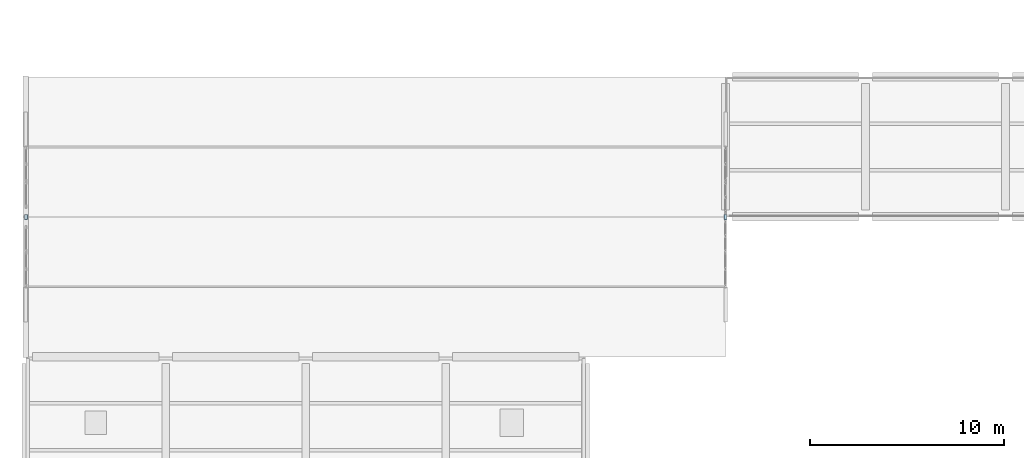
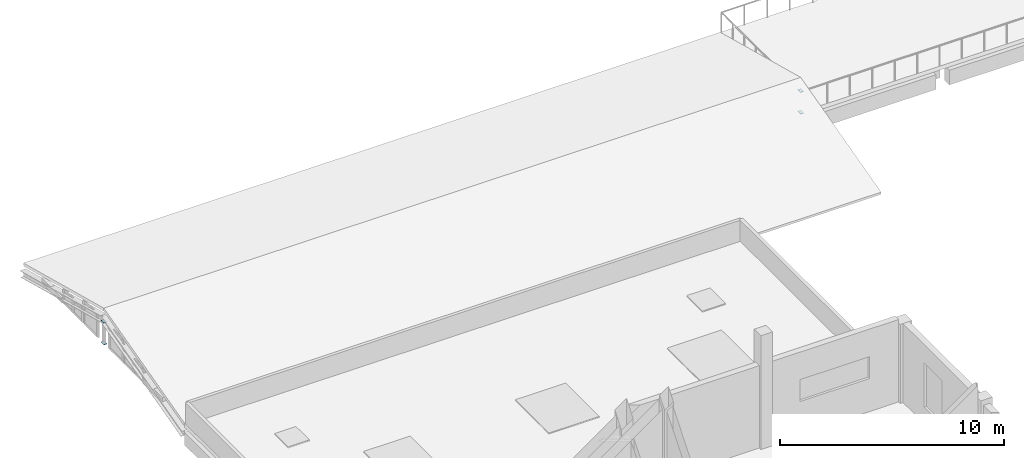
# One storey, part 85 of 105: 4 plates.
"""IFC4 building model written with IfcOpenShell, lengths in metres."""

from ifc_helpers import new_model, si_unit, direction, frame, origin, origin_2d, place, context, subcontext, project, spatial, rectangle, extrude, material, layer, layer_set, type_object, element, save


model = new_model("IFC4")

# Units and contexts
model_context = context("Model", 3, precision=1e-05, world=origin(), true_north=direction((0.0, 1.0)))
body_context = subcontext(model_context, "Body", "Model", "MODEL_VIEW")
ifc_project = project(units=[si_unit("LENGTHUNIT", "METRE"), si_unit("AREAUNIT", "SQUARE_METRE"), si_unit("VOLUMEUNIT", "CUBIC_METRE"), si_unit("PLANEANGLEUNIT", "RADIAN"), si_unit("MASSUNIT", "GRAM", prefix="KILO"), si_unit("THERMODYNAMICTEMPERATUREUNIT", "KELVIN"), si_unit("POWERUNIT", "WATT")], contexts=[model_context])

# Site, building, storey
site_placement = place(None, origin())
site = spatial("IfcSite", under=ifc_project, at=site_placement, CompositionType="ELEMENT")
building_placement = place(site_placement, origin())
building = spatial("IfcBuilding", under=site, at=building_placement, Name="Kaldorven Railside Theatre", CompositionType="ELEMENT")
storey_placement = place(building_placement, frame((0.0, 0.0, 9.89990234375)))
storey = spatial("IfcBuildingStorey", under=building, at=storey_placement, Name="L02", CompositionType="ELEMENT", Elevation=9.89990234375)

# Plates
ifc_material = material(Name="Steel S355", Category="steel")
ifc_layer = layer(ifc_material, 0.011962890625, Name="Steel S355")
ifc_layer_set = layer_set([ifc_layer], Name="Steel S355")
plate_type = type_object("IfcPlateType", Name="PLT-CAP-12", PredefinedType="USERDEFINED", material=ifc_layer_set)
for number, where, z_axis, x_axis, name in (
    (1, (8.0, 69.60009765625, -0.009765625), (0.0, 0.0, 1.0), (1.0, 0.0, 0.0), "End cap gusset plate PL-0321"),
    (2, (8.0, 69.60009765625, 1.1748046875), (0.0, 0.0, 1.0), (1.0, 0.0, 0.0), "End cap gusset plate PL-0322"),
    (3, (44.0, 69.60009765625, -0.009765625), (0.0, 0.0, 1.0), (1.0, 0.0, 0.0), "End cap gusset plate PL-0323"),
    (4, (44.0, 69.60009765625, 1.1748046875), (0.0, 0.0, 1.0), (1.0, 0.0, 0.0), "End cap gusset plate PL-0324"),
):
    element("IfcPlate", number, at=place(storey_placement, frame(where, z_axis=z_axis, x_axis=x_axis)), inside=storey, type_object=plate_type, Name=name, ObjectType="CAP PLATE", PredefinedType="USERDEFINED", context=body_context, shape_type="SweptSolid", body=[
        extrude(rectangle(XDim=0.159912109375, YDim=0.260009765625, at=origin_2d()), origin(), (0.0, 0.0, 1.0), 0.011962890625),
    ])

save(model, "model.ifc")
